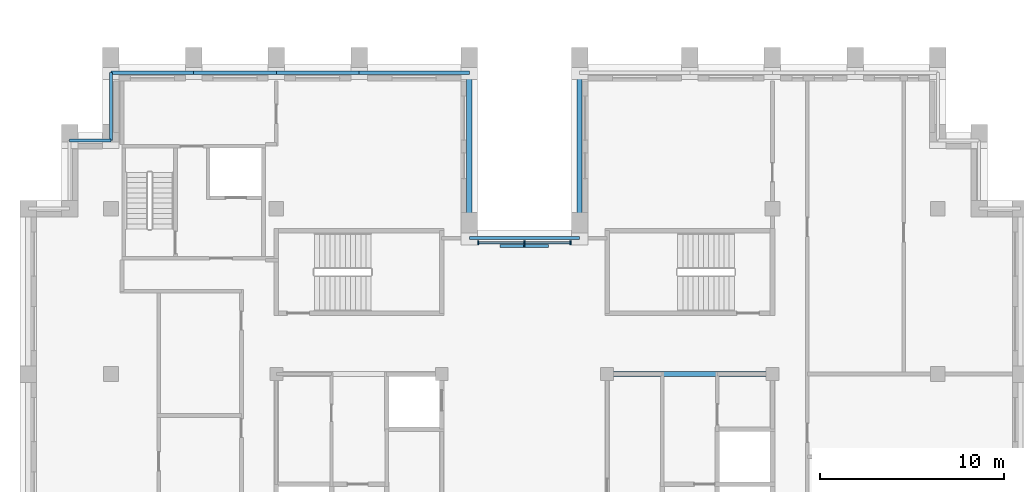
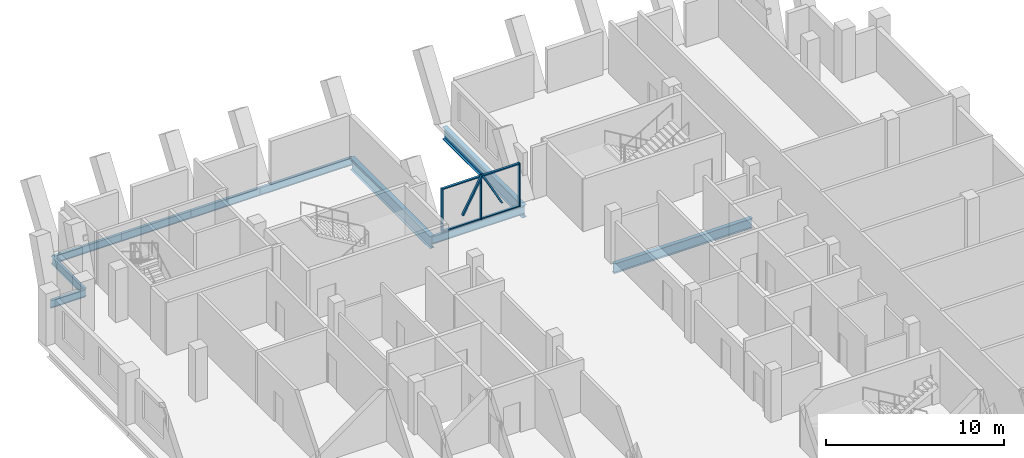
# One storey, part 4 of 13: 10 beams, 9 members, 1 element without a shape of its own.
"""IFC4 building model written with IfcOpenShell, lengths in metres."""

from ifc_helpers import new_model, si_unit, direction, frame, origin, origin_2d, place, context, subcontext, project, spatial, rectangle, i_section, extrude, material, layer, layer_set, material_profile, profile_set, type_object, element, aggregate, save


model = new_model("IFC4")

# Units and contexts
model_context = context("Model", 3, precision=1e-05, world=origin(), true_north=direction((0.0, 1.0)))
body_context = subcontext(model_context, "Body", "Model", "MODEL_VIEW")
ifc_project = project(units=[si_unit("LENGTHUNIT", "METRE"), si_unit("AREAUNIT", "SQUARE_METRE"), si_unit("VOLUMEUNIT", "CUBIC_METRE"), si_unit("PLANEANGLEUNIT", "RADIAN"), si_unit("MASSUNIT", "GRAM", prefix="KILO")], contexts=[model_context])

# Site, building, storey
site_placement = place(None, origin())
site = spatial("IfcSite", under=ifc_project, at=site_placement, CompositionType="ELEMENT")
building_placement = place(site_placement, origin())
building = spatial("IfcBuilding", under=site, at=building_placement, Name="Corbelhall Arena Tower", CompositionType="ELEMENT")
storey_placement = place(building_placement, frame((0.0, 0.0, 346.0)))
storey = spatial("IfcBuildingStorey", under=building, at=storey_placement, Name="L76", CompositionType="ELEMENT", Elevation=346.0)

# Curtain wall, members
ifc_material_1 = material(Name="Aluminium black anodised", Category="aluminium")
ifc_layer = layer(ifc_material_1, 0.199951171875)
ifc_layer_set = layer_set([ifc_layer], Name="EV-CW1 Slot back wall")
curtain_wall_type = type_object("IfcCurtainWallType", Name="EV-CW1 Slot back wall", PredefinedType="NOTDEFINED", material=ifc_layer_set)
curtain_wall_placement = place(storey_placement, origin())
curtain_wall = element("IfcCurtainWall", 1, at=curtain_wall_placement, inside=storey, type_object=curtain_wall_type, Name="Curtain wall CW1", PredefinedType="NOTDEFINED")
ifc_material_profile_1 = material_profile(ifc_material_1, rectangle(XDim=0.199951171875, YDim=0.074951171875, at=origin_2d()))
ifc_profile_set_1 = profile_set([ifc_material_profile_1], Name="Aluminium black anodised")
member_type_1 = type_object("IfcMemberType", Name="EV-CW1-MULLION", PredefinedType="MULLION", material=ifc_profile_set_1)
member_1_placement = place(storey_placement, frame((2.512451171875, 16.14990234375, 0.0), z_axis=(0.0, 0.0, 1.0), x_axis=(0.0, -1.0, 0.0)))
member_1 = element("IfcMember", 2, at=member_1_placement, type_object=member_type_1, Name="CW1 mullion 1", PredefinedType="MULLION", context=body_context, shape_type="SweptSolid", body=[
    extrude(rectangle(XDim=0.199951171875, YDim=0.074951171875, at=origin_2d()), origin(), (0.0, 0.0, 1.0), 2.989990234375),
])
member_2_placement = place(storey_placement, frame((0.0, 16.14990234375, 0.0), z_axis=(0.0, 0.0, 1.0), x_axis=(0.0, -1.0, 0.0)))
member_2 = element("IfcMember", 3, at=member_2_placement, type_object=member_type_1, Name="CW1 mullion 2", PredefinedType="MULLION", context=body_context, shape_type="SweptSolid", body=[
    extrude(rectangle(XDim=0.199951171875, YDim=0.074951171875, at=origin_2d()), origin(), (0.0, 0.0, 1.0), 2.989990234375),
])
member_3_placement = place(storey_placement, frame((-2.512451171875, 16.14990234375, 0.0), z_axis=(0.0, 0.0, 1.0), x_axis=(0.0, -1.0, 0.0)))
member_3 = element("IfcMember", 4, at=member_3_placement, type_object=member_type_1, Name="CW1 mullion 3", PredefinedType="MULLION", context=body_context, shape_type="SweptSolid", body=[
    extrude(rectangle(XDim=0.199951171875, YDim=0.074951171875, at=origin_2d()), origin(), (0.0, 0.0, 1.0), 2.989990234375),
])
ifc_material_profile_2 = material_profile(ifc_material_1, rectangle(XDim=0.14990234375, YDim=0.074951171875, at=origin_2d()))
ifc_profile_set_2 = profile_set([ifc_material_profile_2], Name="Aluminium black anodised")
member_type_2 = type_object("IfcMemberType", Name="EV-CW1-TRANSOM", PredefinedType="USERDEFINED", material=ifc_profile_set_2)
member_4_placement = place(storey_placement, frame((2.47509765625, 16.14990234375, 0.03759765625), z_axis=(-1.0, 0.0, 0.0), x_axis=(0.0, -1.0, 0.0)))
member_4 = element("IfcMember", 5, at=member_4_placement, type_object=member_type_2, Name="CW1 transom 1.1", ObjectType="transom", PredefinedType="USERDEFINED", context=body_context, shape_type="SweptSolid", body=[
    extrude(rectangle(XDim=0.14990234375, YDim=0.074951171875, at=origin_2d()), origin(), (0.0, 0.0, 1.0), 2.4375),
])
member_5_placement = place(storey_placement, frame((2.47509765625, 16.14990234375, 2.952392578125), z_axis=(-1.0, 0.0, 0.0), x_axis=(0.0, -1.0, 0.0)))
member_5 = element("IfcMember", 6, at=member_5_placement, type_object=member_type_2, Name="CW1 transom 1.2", ObjectType="transom", PredefinedType="USERDEFINED", context=body_context, shape_type="SweptSolid", body=[
    extrude(rectangle(XDim=0.14990234375, YDim=0.074951171875, at=origin_2d()), origin(), (0.0, 0.0, 1.0), 2.4375),
])
member_6_placement = place(storey_placement, frame((-0.03759765625, 16.14990234375, 0.03759765625), z_axis=(-1.0, 0.0, 0.0), x_axis=(0.0, -1.0, 0.0)))
member_6 = element("IfcMember", 7, at=member_6_placement, type_object=member_type_2, Name="CW1 transom 2.1", ObjectType="transom", PredefinedType="USERDEFINED", context=body_context, shape_type="SweptSolid", body=[
    extrude(rectangle(XDim=0.14990234375, YDim=0.074951171875, at=origin_2d()), origin(), (0.0, 0.0, 1.0), 2.4375),
])
member_7_placement = place(storey_placement, frame((-0.03759765625, 16.14990234375, 2.952392578125), z_axis=(-1.0, 0.0, 0.0), x_axis=(0.0, -1.0, 0.0)))
member_7 = element("IfcMember", 8, at=member_7_placement, type_object=member_type_2, Name="CW1 transom 2.2", ObjectType="transom", PredefinedType="USERDEFINED", context=body_context, shape_type="SweptSolid", body=[
    extrude(rectangle(XDim=0.14990234375, YDim=0.074951171875, at=origin_2d()), origin(), (0.0, 0.0, 1.0), 2.4375),
])
aggregate(curtain_wall, [member_1, member_2, member_3, member_4, member_5, member_6, member_7])

# Members
ifc_material_profile_3 = material_profile(ifc_material_1, rectangle(XDim=0.159912109375, YDim=0.10009765625, at=origin_2d()))
ifc_profile_set_3 = profile_set([ifc_material_profile_3], Name="Aluminium black anodised")
member_type_3 = type_object("IfcMemberType", Name="EV-TR1 Tracery bar", PredefinedType="USERDEFINED", material=ifc_profile_set_3)
for number, where, z_axis, x_axis, name in (
    (9, (1.27490234375, 15.969970703125, 0.807373046875), (-0.478030960994, 0.0, 0.878342985588), (0.0, -1.0, 0.0), "Tracery bar"),
    (10, (0.0, 15.969970703125, 3.14990234375), (-0.478030960994, 0.0, -0.878342985588), (0.0, -1.0, 0.0), "Tracery bar"),
):
    element("IfcMember", number, at=place(storey_placement, frame(where, z_axis=z_axis, x_axis=x_axis)), inside=storey, type_object=member_type_3, Name=name, ObjectType="TRACERY", PredefinedType="USERDEFINED", context=body_context, shape_type="SweptSolid", body=[
        extrude(rectangle(XDim=0.159912109375, YDim=0.10009765625, at=origin_2d()), origin(), (0.0, 0.0, 1.0), 2.6669921875),
    ])

# Beams
ifc_material_2 = material(Name="Steel ASTM A992 Gr50", Category="steel")
ifc_material_profile_4 = material_profile(ifc_material_2, i_section(OverallWidth=0.25390625, OverallDepth=0.67822265625, WebThickness=0.01171875, FlangeThickness=0.016357421875, at=origin_2d()))
ifc_profile_set_4 = profile_set([ifc_material_profile_4], Name="Steel ASTM A992 Gr50")
beam_type_1 = type_object("IfcBeamType", Name="ST-BEAM-W27x84", PredefinedType="BEAM", material=ifc_profile_set_4)
beam_1_placement = place(storey_placement, frame((4.5, 9.0, -0.59912109375), z_axis=(1.0, 0.0, 0.0), x_axis=(0.0, 1.0, 0.0)))
element("IfcBeam", 11, at=beam_1_placement, inside=storey, type_object=beam_type_1, Name="Beam CEE 12", PredefinedType="BEAM", context=body_context, shape_type="SweptSolid", body=[
    extrude(i_section(OverallWidth=0.25390625, OverallDepth=0.67822265625, WebThickness=0.01171875, FlangeThickness=0.016357421875, at=origin_2d()), origin(), (0.0, 0.0, 1.0), 9.0),
])
ifc_material_profile_5 = material_profile(ifc_material_2, i_section(OverallWidth=0.16650390625, OverallDepth=0.535888671875, WebThickness=0.01025390625, FlangeThickness=0.0166015625, at=origin_2d()))
ifc_profile_set_5 = profile_set([ifc_material_profile_5], Name="Steel ASTM A992 Gr50")
beam_type_2 = type_object("IfcBeamType", Name="ST-SPANDREL-W21x57", PredefinedType="SPANDREL", material=ifc_profile_set_5)
beam_2_placement = place(storey_placement, frame((-9.0, 25.39990234375, -0.528076171875), z_axis=(1.0, 0.0, 0.0), x_axis=(0.0, 1.0, 0.0)))
element("IfcBeam", 12, at=beam_2_placement, inside=storey, type_object=beam_type_2, Name="Beam SP 12", PredefinedType="SPANDREL", context=body_context, shape_type="SweptSolid", body=[
    extrude(i_section(OverallWidth=0.16650390625, OverallDepth=0.535888671875, WebThickness=0.01025390625, FlangeThickness=0.0166015625, at=origin_2d()), origin(), (0.0, 0.0, 1.0), 6.0),
])
for number, where, z_axis, x_axis, name in (
    (13, (-13.5, 25.39990234375, -0.528076171875), (1.0, 0.0, 0.0), (0.0, 1.0, 0.0), "Beam SP 13"),
    (14, (-18.0, 25.39990234375, -0.528076171875), (1.0, 0.0, 0.0), (0.0, 1.0, 0.0), "Beam SP 14"),
    (15, (-22.5, 25.39990234375, -0.528076171875), (1.0, 0.0, 0.0), (0.0, 1.0, 0.0), "Beam SP 15"),
):
    element("IfcBeam", number, at=place(storey_placement, frame(where, z_axis=z_axis, x_axis=x_axis)), inside=storey, type_object=beam_type_2, Name=name, PredefinedType="SPANDREL", context=body_context, shape_type="SweptSolid", body=[
        extrude(i_section(OverallWidth=0.16650390625, OverallDepth=0.535888671875, WebThickness=0.01025390625, FlangeThickness=0.0166015625, at=origin_2d()), origin(), (0.0, 0.0, 1.0), 4.5),
    ])
beam_3_placement = place(storey_placement, frame((-3.0, 16.39990234375, -0.528076171875), z_axis=(1.0, 0.0, 0.0), x_axis=(0.0, 1.0, 0.0)))
element("IfcBeam", 16, at=beam_3_placement, inside=storey, type_object=beam_type_2, Name="Beam SP 32", PredefinedType="SPANDREL", context=body_context, shape_type="SweptSolid", body=[
    extrude(i_section(OverallWidth=0.16650390625, OverallDepth=0.535888671875, WebThickness=0.01025390625, FlangeThickness=0.0166015625, at=origin_2d()), origin(), (0.0, 0.0, 1.0), 6.0),
])
beam_4_placement = place(storey_placement, frame((-22.5, 21.699951171875, -0.528076171875), z_axis=(0.0, 1.0, 0.0), x_axis=(-1.0, 0.0, 0.0)))
element("IfcBeam", 17, at=beam_4_placement, inside=storey, type_object=beam_type_2, Name="Beam SP 38", PredefinedType="SPANDREL", context=body_context, shape_type="SweptSolid", body=[
    extrude(i_section(OverallWidth=0.16650390625, OverallDepth=0.535888671875, WebThickness=0.01025390625, FlangeThickness=0.0166015625, at=origin_2d()), origin(), (0.0, 0.0, 1.0), 3.699951171875),
])
beam_5_placement = place(storey_placement, frame((-24.75, 21.699951171875, -0.528076171875), z_axis=(1.0, 0.0, 0.0), x_axis=(0.0, 1.0, 0.0)))
element("IfcBeam", 18, at=beam_5_placement, inside=storey, type_object=beam_type_2, Name="Beam SP 39", PredefinedType="SPANDREL", context=body_context, shape_type="SweptSolid", body=[
    extrude(i_section(OverallWidth=0.16650390625, OverallDepth=0.535888671875, WebThickness=0.01025390625, FlangeThickness=0.0166015625, at=origin_2d()), origin(), (0.0, 0.0, 1.0), 2.25),
])
ifc_material_profile_6 = material_profile(ifc_material_2, i_section(OverallWidth=0.2919921875, OverallDepth=0.845703125, WebThickness=0.015380859375, FlangeThickness=0.0244140625, at=origin_2d()))
ifc_profile_set_6 = profile_set([ifc_material_profile_6], Name="Steel ASTM A992 Gr50")
beam_type_3 = type_object("IfcBeamType", Name="ST-SPANDREL-W33x141", PredefinedType="SPANDREL", material=ifc_profile_set_6)
for number, where, z_axis, x_axis, name in (
    (19, (-3.0, 25.39990234375, -0.682861328125), (0.0, -1.0, 0.0), (1.0, 0.0, 0.0), "Beam SP 11"),
    (20, (3.0, 16.39990234375, -0.682861328125), (0.0, 1.0, 0.0), (-1.0, 0.0, 0.0), "Beam SP 31"),
):
    element("IfcBeam", number, at=place(storey_placement, frame(where, z_axis=z_axis, x_axis=x_axis)), inside=storey, type_object=beam_type_3, Name=name, PredefinedType="SPANDREL", context=body_context, shape_type="SweptSolid", body=[
        extrude(i_section(OverallWidth=0.2919921875, OverallDepth=0.845703125, WebThickness=0.015380859375, FlangeThickness=0.0244140625, at=origin_2d()), origin(), (0.0, 0.0, 1.0), 9.0),
    ])

save(model, "model.ifc")
